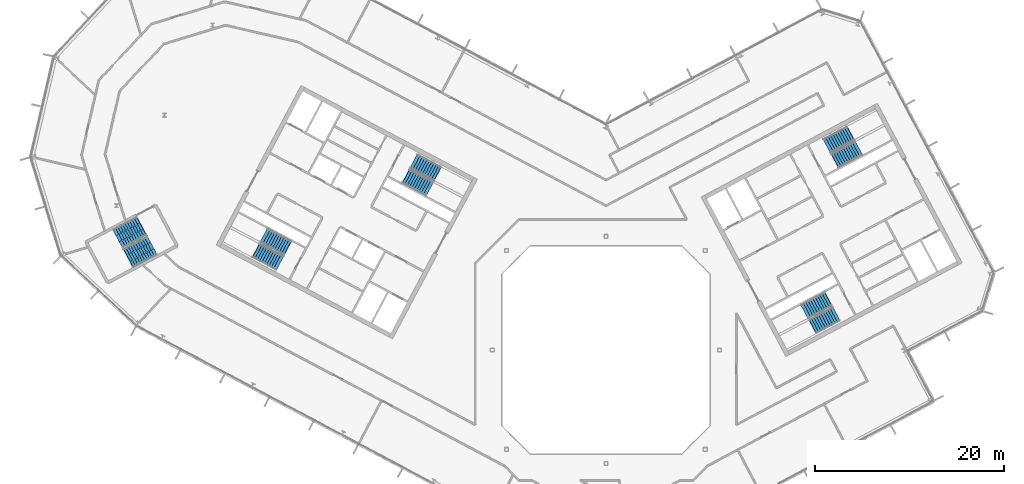
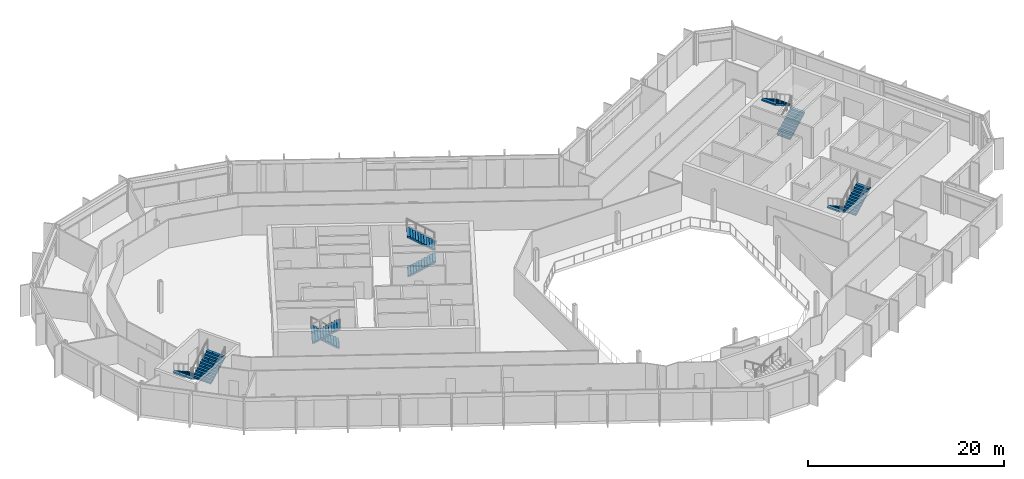
# One storey, part 18 of 26: 10 stair flights, 5 elements without a shape of their own.
"""IFC4 building model written with IfcOpenShell, lengths in metres."""

import ifcopenshell
import ifcopenshell.guid

model = None  # the IFC model being written
_history = None  # IfcOwnerHistory: only IFC2X3 demands one
_inside = {}  # id of a spatial element -> (the spatial element, [elements in it])
_under = {}  # id of a project, library or spatial element -> (it, [spatial elements below it])
_declared = {}  # id of a project -> (the project, [libraries it declares])
_typed = {}  # id of a type object -> (the type object, [elements of that type])
_made_of = {}  # id of a material, layer set ... -> (it, [elements and type objects made of it])


def new_model(schema):
    """Start an empty IFC model of exactly this schema.

    Asked for "IFC4X3", IfcOpenShell would pick the latest addendum, in which some entities
    have other attributes; the version numbers below select the first issue.
    IFC2X3 requires an IfcOwnerHistory on every rooted entity: one is made here for all.
    """
    global model, _history
    if schema == "IFC4X3":
        model = ifcopenshell.file(schema_version=(4, 3, 0, 0))
    else:
        model = ifcopenshell.file(schema=schema)
    _inside.clear()
    _under.clear()
    _declared.clear()
    _typed.clear()
    _made_of.clear()
    _history = None
    if model.schema == "IFC2X3":
        org = make("IfcOrganization", Name="unknown")
        user = make(
            "IfcPersonAndOrganization",
            ThePerson=make("IfcPerson", FamilyName="unknown"),
            TheOrganization=org,
        )
        app = make(
            "IfcApplication",
            ApplicationDeveloper=org,
            Version="unknown",
            ApplicationFullName="unknown",
            ApplicationIdentifier="unknown",
        )
        _history = make(
            "IfcOwnerHistory",
            OwningUser=user,
            OwningApplication=app,
            ChangeAction="ADDED",
            CreationDate=0,
        )
    return model


def make(cls, **values):
    """One entity of the class cls with the attributes given. An attribute that is None is left unset."""
    return model.create_entity(
        cls, **{name: value for name, value in values.items() if value is not None}
    )


def rooted(cls, **values):
    """An entity with a GlobalId (a new one), such as an element, a storey or a relation."""
    return make(cls, GlobalId=ifcopenshell.guid.new(), OwnerHistory=_history, **values)


def si_unit(unit_type, name, prefix=None):
    """IfcSIUnit, for example si_unit("LENGTHUNIT", "METRE", prefix="MILLI")."""
    return make("IfcSIUnit", UnitType=unit_type, Prefix=prefix, Name=name)


def assignment(units):
    """IfcUnitAssignment: the units of a project."""
    return None if units is None else make("IfcUnitAssignment", Units=units)


def point(xyz):
    """IfcCartesianPoint."""
    return None if xyz is None else make("IfcCartesianPoint", Coordinates=xyz)


def direction(xyz):
    """IfcDirection."""
    return None if xyz is None else make("IfcDirection", DirectionRatios=xyz)


def frame(location, z_axis=None, x_axis=None):
    """IfcAxis2Placement3D, a coordinate frame: its origin and axes. An axis left out is left unset."""
    return make(
        "IfcAxis2Placement3D",
        Location=point(location),
        Axis=direction(z_axis),
        RefDirection=direction(x_axis),
    )


def origin():
    """The frame at (0, 0, 0) with its axes left unset."""
    return frame((0.0, 0.0, 0.0))


def place(relative_to, where):
    """IfcLocalPlacement: puts the frame where relative to a parent placement (None: the world)."""
    return make(
        "IfcLocalPlacement", PlacementRelTo=relative_to, RelativePlacement=where
    )


def context(
    kind, dimensions, precision=None, world=None, true_north=None, identifier=None
):
    """IfcGeometricRepresentationContext, for example the 3D "Model" context."""
    return make(
        "IfcGeometricRepresentationContext",
        ContextIdentifier=identifier,
        ContextType=kind,
        CoordinateSpaceDimension=dimensions,
        Precision=precision,
        WorldCoordinateSystem=world,
        TrueNorth=true_north,
    )


def subcontext(parent, identifier, kind, view, scale=None):
    """IfcGeometricRepresentationSubContext, for example "Body" below "Model"."""
    return make(
        "IfcGeometricRepresentationSubContext",
        ContextIdentifier=identifier,
        ContextType=kind,
        ParentContext=parent,
        TargetScale=scale,
        TargetView=view,
    )


def project(units=None, contexts=None):
    """IfcProject with its units and contexts."""
    return rooted(
        "IfcProject",
        Name="project",
        RepresentationContexts=contexts,
        UnitsInContext=assignment(units),
    )


def spatial(cls, under=None, at=None, **own):
    """A site, building, storey or space (cls), placed at a placement, below another one or the project."""
    s = rooted(cls, ObjectPlacement=at, **own)
    if under is not None:
        _under.setdefault(under.id(), (under, []))[1].append(s)
    return s


def polyline(points):
    """IfcPolyline through the points."""
    return make("IfcPolyline", Points=[point(p) for p in points])


def outline(outer, holes=None, kind="AREA"):
    """IfcArbitraryClosedProfileDef: a profile drawn as a closed curve; with holes, ...WithVoids."""
    if holes is None:
        return make("IfcArbitraryClosedProfileDef", ProfileType=kind, OuterCurve=outer)
    return make(
        "IfcArbitraryProfileDefWithVoids",
        ProfileType=kind,
        OuterCurve=outer,
        InnerCurves=holes,
    )


def extrude(swept, where, along, depth):
    """IfcExtrudedAreaSolid: the profile swept, set in the frame where, extruded along a direction by depth."""
    return make(
        "IfcExtrudedAreaSolid",
        SweptArea=swept,
        Position=where,
        ExtrudedDirection=direction(along),
        Depth=depth,
    )


def shape(context_of_items, identifier, shape_type, items):
    """IfcShapeRepresentation: the items that make up one representation, for example the "Body"."""
    return make(
        "IfcShapeRepresentation",
        ContextOfItems=context_of_items,
        RepresentationIdentifier=identifier,
        RepresentationType=shape_type,
        Items=items,
    )


def material(Name=None, Category=None):
    """IfcMaterial."""
    return make("IfcMaterial", Name=Name, Category=Category)


def made_of(thing, what):
    """Note that an element or type object is made of a material, layer set ...; save() writes the relation."""
    if what is not None:
        _made_of.setdefault(what.id(), (what, []))[1].append(thing)
    return thing


def type_object(cls, material=None, **own):
    """A type object (cls), such as IfcWallType, which elements share."""
    return made_of(rooted(cls, **own), material)


def element(
    cls,
    number,
    at=None,
    inside=None,
    cuts=None,
    type_object=None,
    material=None,
    context=None,
    identifier="Body",
    shape_type=None,
    held_by="IfcProductDefinitionShape",
    body=None,
    shapes=None,
    **own,
):
    """One element of the class cls, such as IfcWall. Its Tag is "e" and its number.

    at: its placement. inside: the storey or other place that contains it. cuts: it is an
    opening in that element (IfcRelVoidsElement). A single representation is given by context,
    identifier, shape_type and body (its items); several are given by shapes. held_by: the class
    of the entity that holds the representations. save() writes the other relations.
    """
    e = rooted(cls, Tag="e%d" % number, ObjectPlacement=at, **own)
    if body is not None:
        shapes = [shape(context, identifier, shape_type, body)]
    if shapes is not None:
        e.Representation = make(held_by, Representations=shapes)
    if inside is not None:
        _inside.setdefault(inside.id(), (inside, []))[1].append(e)
    if cuts is not None:
        rooted(
            "IfcRelVoidsElement", RelatingBuildingElement=cuts, RelatedOpeningElement=e
        )
    if type_object is not None:
        _typed.setdefault(type_object.id(), (type_object, []))[1].append(e)
    return made_of(e, material)


def aggregate(whole, parts):
    """IfcRelAggregates: a whole, such as a stair, and the parts it consists of."""
    return rooted("IfcRelAggregates", RelatingObject=whole, RelatedObjects=parts)


def save(model, path):
    """Write the relations noted so far, then the file.

    IfcRelAggregates (storeys below a building ...), IfcRelContainedInSpatialStructure (elements
    in a storey), IfcRelDefinesByType, IfcRelAssociatesMaterial and IfcRelDeclares: one each for
    every whole, place, type object, material and project.
    """
    for whole, parts in _under.values():
        aggregate(whole, parts)
    for where, things in _inside.values():
        rooted(
            "IfcRelContainedInSpatialStructure",
            RelatedElements=things,
            RelatingStructure=where,
        )
    for kind, things in _typed.values():
        rooted("IfcRelDefinesByType", RelatedObjects=things, RelatingType=kind)
    for what, things in _made_of.values():
        rooted("IfcRelAssociatesMaterial", RelatedObjects=things, RelatingMaterial=what)
    for by, libraries in _declared.values():
        rooted("IfcRelDeclares", RelatingContext=by, RelatedDefinitions=libraries)
    model.write(path)


model = new_model("IFC4")

# Units and contexts
model_context = context("Model", 3, precision=1e-05, world=origin(), true_north=direction((0.0, 1.0)))
body_context = subcontext(model_context, "Body", "Model", "MODEL_VIEW")
ifc_project = project(units=[si_unit("LENGTHUNIT", "METRE"), si_unit("AREAUNIT", "SQUARE_METRE"), si_unit("VOLUMEUNIT", "CUBIC_METRE"), si_unit("PLANEANGLEUNIT", "RADIAN"), si_unit("MASSUNIT", "GRAM", prefix="KILO")], contexts=[model_context])

# Site, building, storey
site_placement = place(None, origin())
site = spatial("IfcSite", under=ifc_project, at=site_placement, CompositionType="ELEMENT")
building_placement = place(site_placement, origin())
building = spatial("IfcBuilding", under=site, at=building_placement, Name="Cormorant Relay Tower", CompositionType="ELEMENT")
storey_placement = place(building_placement, frame((0.0, 0.0, 308.699951171875)))
storey = spatial("IfcBuildingStorey", under=building, at=storey_placement, Name="L70", CompositionType="ELEMENT", Elevation=308.699951171875)

# Stair, stair flights
ifc_material_1 = material(Name="Concrete 40 MPa", Category="concrete")
stair_type_1 = type_object("IfcStairType", Name="Exit stair 1500", PredefinedType="HALF_TURN_STAIR", material=ifc_material_1)
stair_1_placement = place(storey_placement, origin())
stair_1 = element("IfcStair", 1, at=stair_1_placement, inside=storey, type_object=stair_type_1, Name="L70 Stair", PredefinedType="HALF_TURN_STAIR")
ifc_material_2 = material(Name="Concrete 40 MPa", Category="concrete")
stair_flight_type_1 = type_object("IfcStairFlightType", Name="Exit stair flight 1650", PredefinedType="STRAIGHT", material=ifc_material_2)
stair_flight_1_placement = place(storey_placement, frame((-21.114501953125, 18.33349609375, 0.0), z_axis=(0.0, 0.0, 1.0), x_axis=(0.882947592859, -0.469471562786, 0.0)))
stair_flight_1 = element("IfcStairFlight", 2, at=stair_flight_1_placement, type_object=stair_flight_type_1, Name="A1 flight 1", NumberOfRisers=11, NumberOfTreads=10, PredefinedType="STRAIGHT", RiserHeight=0.177272727, TreadLength=0.28, context=body_context, shape_type="SweptSolid", body=[
    extrude(outline(polyline([(-0.050048828125, -0.080078125), (-0.050048828125, 0.0), (0.0, 0.0), (0.0, 0.17724609375), (0.280029296875, 0.17724609375), (0.280029296875, 0.3544921875), (0.56005859375, 0.3544921875), (0.56005859375, 0.53173828125), (0.840087890625, 0.53173828125), (0.840087890625, 0.708984375), (1.1201171875, 0.708984375), (1.1201171875, 0.886474609375), (1.39990234375, 0.886474609375), (1.39990234375, 1.063720703125), (1.679931640625, 1.063720703125), (1.679931640625, 1.240966796875), (1.9599609375, 1.240966796875), (1.9599609375, 1.418212890625), (2.239990234375, 1.418212890625), (2.239990234375, 1.595458984375), (2.52001953125, 1.595458984375), (2.52001953125, 1.772705078125), (2.800048828125, 1.772705078125), (2.85009765625, 1.772705078125), (2.85009765625, 1.59521484375), (2.800048828125, 1.59521484375), (0.2802734375, 0.0), (-0.050048828125, -0.080078125)])), frame((0.0, 0.824951171875, 0.0), z_axis=(0.0, -1.0, 0.0), x_axis=(1.0, 0.0, 0.0)), (0.0, 0.0, 1.0), 1.64990234375),
])
stair_flight_2_placement = place(storey_placement, frame((-17.797119140625, 18.6083984375, 1.949951171875), z_axis=(0.0, 0.0, 1.0), x_axis=(-0.882947592859, 0.469471562786, 0.0)))
stair_flight_2 = element("IfcStairFlight", 3, at=stair_flight_2_placement, type_object=stair_flight_type_1, Name="A1 flight 2", NumberOfRisers=11, NumberOfTreads=10, PredefinedType="STRAIGHT", RiserHeight=0.177272727, TreadLength=0.28, context=body_context, shape_type="SweptSolid", body=[
    extrude(outline(polyline([(-0.050048828125, -0.080078125), (-0.050048828125, 0.0), (0.0, 0.0), (0.0, 0.17724609375), (0.280029296875, 0.17724609375), (0.280029296875, 0.3544921875), (0.56005859375, 0.3544921875), (0.56005859375, 0.53173828125), (0.840087890625, 0.53173828125), (0.840087890625, 0.708984375), (1.1201171875, 0.708984375), (1.1201171875, 0.886474609375), (1.39990234375, 0.886474609375), (1.39990234375, 1.063720703125), (1.679931640625, 1.063720703125), (1.679931640625, 1.240966796875), (1.9599609375, 1.240966796875), (1.9599609375, 1.418212890625), (2.239990234375, 1.418212890625), (2.239990234375, 1.595458984375), (2.52001953125, 1.595458984375), (2.52001953125, 1.772705078125), (2.800048828125, 1.772705078125), (2.85009765625, 1.772705078125), (2.85009765625, 1.59521484375), (2.800048828125, 1.59521484375), (0.2802734375, 0.0), (-0.050048828125, -0.080078125)])), frame((0.0, 0.824951171875, 0.0), z_axis=(0.0, -1.0, 0.0), x_axis=(1.0, 0.0, 0.0)), (0.0, 0.0, 1.0), 1.64990234375),
])
aggregate(stair_1, [stair_flight_1, stair_flight_2])

stair_2_placement = place(storey_placement, origin())
stair_2 = element("IfcStair", 4, at=stair_2_placement, inside=storey, type_object=stair_type_1, Name="L70 Stair", PredefinedType="HALF_TURN_STAIR")
stair_flight_3_placement = place(storey_placement, frame((-33.62841796875, 10.773681640625, 0.0), z_axis=(0.0, 0.0, 1.0), x_axis=(-0.882947592859, 0.469471562786, 0.0)))
stair_flight_3 = element("IfcStairFlight", 5, at=stair_flight_3_placement, type_object=stair_flight_type_1, Name="A2 flight 1", NumberOfRisers=11, NumberOfTreads=10, PredefinedType="STRAIGHT", RiserHeight=0.177272727, TreadLength=0.28, context=body_context, shape_type="SweptSolid", body=[
    extrude(outline(polyline([(-0.050048828125, -0.080078125), (-0.050048828125, 0.0), (0.0, 0.0), (0.0, 0.17724609375), (0.280029296875, 0.17724609375), (0.280029296875, 0.3544921875), (0.56005859375, 0.3544921875), (0.56005859375, 0.53173828125), (0.840087890625, 0.53173828125), (0.840087890625, 0.708984375), (1.1201171875, 0.708984375), (1.1201171875, 0.886474609375), (1.39990234375, 0.886474609375), (1.39990234375, 1.063720703125), (1.679931640625, 1.063720703125), (1.679931640625, 1.240966796875), (1.9599609375, 1.240966796875), (1.9599609375, 1.418212890625), (2.239990234375, 1.418212890625), (2.239990234375, 1.595458984375), (2.52001953125, 1.595458984375), (2.52001953125, 1.772705078125), (2.800048828125, 1.772705078125), (2.85009765625, 1.772705078125), (2.85009765625, 1.59521484375), (2.800048828125, 1.59521484375), (0.2802734375, 0.0), (-0.050048828125, -0.080078125)])), frame((0.0, 0.824951171875, 0.0), z_axis=(0.0, -1.0, 0.0), x_axis=(1.0, 0.0, 0.0)), (0.0, 0.0, 1.0), 1.64990234375),
])
stair_flight_4_placement = place(storey_placement, frame((-36.945556640625, 10.498779296875, 1.949951171875), z_axis=(0.0, 0.0, 1.0), x_axis=(0.882947592859, -0.469471562786, 0.0)))
stair_flight_4 = element("IfcStairFlight", 6, at=stair_flight_4_placement, type_object=stair_flight_type_1, Name="A2 flight 2", NumberOfRisers=11, NumberOfTreads=10, PredefinedType="STRAIGHT", RiserHeight=0.177272727, TreadLength=0.28, context=body_context, shape_type="SweptSolid", body=[
    extrude(outline(polyline([(-0.050048828125, -0.080078125), (-0.050048828125, 0.0), (0.0, 0.0), (0.0, 0.17724609375), (0.280029296875, 0.17724609375), (0.280029296875, 0.3544921875), (0.56005859375, 0.3544921875), (0.56005859375, 0.53173828125), (0.840087890625, 0.53173828125), (0.840087890625, 0.708984375), (1.1201171875, 0.708984375), (1.1201171875, 0.886474609375), (1.39990234375, 0.886474609375), (1.39990234375, 1.063720703125), (1.679931640625, 1.063720703125), (1.679931640625, 1.240966796875), (1.9599609375, 1.240966796875), (1.9599609375, 1.418212890625), (2.239990234375, 1.418212890625), (2.239990234375, 1.595458984375), (2.52001953125, 1.595458984375), (2.52001953125, 1.772705078125), (2.800048828125, 1.772705078125), (2.85009765625, 1.772705078125), (2.85009765625, 1.59521484375), (2.800048828125, 1.59521484375), (0.2802734375, 0.0), (-0.050048828125, -0.080078125)])), frame((0.0, 0.824951171875, 0.0), z_axis=(0.0, -1.0, 0.0), x_axis=(1.0, 0.0, 0.0)), (0.0, 0.0, 1.0), 1.64990234375),
])
aggregate(stair_2, [stair_flight_3, stair_flight_4])

stair_3_placement = place(storey_placement, origin())
stair_3 = element("IfcStair", 7, at=stair_3_placement, inside=storey, type_object=stair_type_1, Name="L70 Stair", PredefinedType="HALF_TURN_STAIR")
stair_flight_5_placement = place(storey_placement, frame((23.474365234375, 5.374755859375, 0.0), z_axis=(0.0, 0.0, 1.0), x_axis=(-0.882947592859, -0.469471562786, 0.0)))
stair_flight_5 = element("IfcStairFlight", 8, at=stair_flight_5_placement, type_object=stair_flight_type_1, Name="B1 flight 1", NumberOfRisers=11, NumberOfTreads=10, PredefinedType="STRAIGHT", RiserHeight=0.177272727, TreadLength=0.28, context=body_context, shape_type="SweptSolid", body=[
    extrude(outline(polyline([(-0.050048828125, -0.080078125), (-0.050048828125, 0.0), (0.0, 0.0), (0.0, 0.17724609375), (0.280029296875, 0.17724609375), (0.280029296875, 0.3544921875), (0.56005859375, 0.3544921875), (0.56005859375, 0.53173828125), (0.840087890625, 0.53173828125), (0.840087890625, 0.708984375), (1.1201171875, 0.708984375), (1.1201171875, 0.886474609375), (1.39990234375, 0.886474609375), (1.39990234375, 1.063720703125), (1.679931640625, 1.063720703125), (1.679931640625, 1.240966796875), (1.9599609375, 1.240966796875), (1.9599609375, 1.418212890625), (2.239990234375, 1.418212890625), (2.239990234375, 1.595458984375), (2.52001953125, 1.595458984375), (2.52001953125, 1.772705078125), (2.800048828125, 1.772705078125), (2.85009765625, 1.772705078125), (2.85009765625, 1.59521484375), (2.800048828125, 1.59521484375), (0.2802734375, 0.0), (-0.050048828125, -0.080078125)])), frame((0.0, 0.824951171875, 0.0), z_axis=(0.0, -1.0, 0.0), x_axis=(1.0, 0.0, 0.0)), (0.0, 0.0, 1.0), 1.64990234375),
])
stair_flight_6_placement = place(storey_placement, frame((21.84716796875, 2.470947265625, 1.949951171875), z_axis=(0.0, 0.0, 1.0), x_axis=(0.882947592859, 0.469471562786, 0.0)))
stair_flight_6 = element("IfcStairFlight", 9, at=stair_flight_6_placement, type_object=stair_flight_type_1, Name="B1 flight 2", NumberOfRisers=11, NumberOfTreads=10, PredefinedType="STRAIGHT", RiserHeight=0.177272727, TreadLength=0.28, context=body_context, shape_type="SweptSolid", body=[
    extrude(outline(polyline([(-0.050048828125, -0.080078125), (-0.050048828125, 0.0), (0.0, 0.0), (0.0, 0.17724609375), (0.280029296875, 0.17724609375), (0.280029296875, 0.3544921875), (0.56005859375, 0.3544921875), (0.56005859375, 0.53173828125), (0.840087890625, 0.53173828125), (0.840087890625, 0.708984375), (1.1201171875, 0.708984375), (1.1201171875, 0.886474609375), (1.39990234375, 0.886474609375), (1.39990234375, 1.063720703125), (1.679931640625, 1.063720703125), (1.679931640625, 1.240966796875), (1.9599609375, 1.240966796875), (1.9599609375, 1.418212890625), (2.239990234375, 1.418212890625), (2.239990234375, 1.595458984375), (2.52001953125, 1.595458984375), (2.52001953125, 1.772705078125), (2.800048828125, 1.772705078125), (2.85009765625, 1.772705078125), (2.85009765625, 1.59521484375), (2.800048828125, 1.59521484375), (0.2802734375, 0.0), (-0.050048828125, -0.080078125)])), frame((0.0, 0.824951171875, 0.0), z_axis=(0.0, -1.0, 0.0), x_axis=(1.0, 0.0, 0.0)), (0.0, 0.0, 1.0), 1.64990234375),
])
aggregate(stair_3, [stair_flight_5, stair_flight_6])

stair_4_placement = place(storey_placement, origin())
stair_4 = element("IfcStair", 10, at=stair_4_placement, inside=storey, type_object=stair_type_1, Name="L70 Stair", PredefinedType="HALF_TURN_STAIR")
stair_flight_7_placement = place(storey_placement, frame((24.20458984375, 19.976806640625, 0.0), z_axis=(0.0, 0.0, 1.0), x_axis=(0.882947592859, 0.469471562786, 0.0)))
stair_flight_7 = element("IfcStairFlight", 11, at=stair_flight_7_placement, type_object=stair_flight_type_1, Name="B2 flight 1", NumberOfRisers=11, NumberOfTreads=10, PredefinedType="STRAIGHT", RiserHeight=0.177272727, TreadLength=0.28, context=body_context, shape_type="SweptSolid", body=[
    extrude(outline(polyline([(-0.050048828125, -0.080078125), (-0.050048828125, 0.0), (0.0, 0.0), (0.0, 0.17724609375), (0.280029296875, 0.17724609375), (0.280029296875, 0.3544921875), (0.56005859375, 0.3544921875), (0.56005859375, 0.53173828125), (0.840087890625, 0.53173828125), (0.840087890625, 0.708984375), (1.1201171875, 0.708984375), (1.1201171875, 0.886474609375), (1.39990234375, 0.886474609375), (1.39990234375, 1.063720703125), (1.679931640625, 1.063720703125), (1.679931640625, 1.240966796875), (1.9599609375, 1.240966796875), (1.9599609375, 1.418212890625), (2.239990234375, 1.418212890625), (2.239990234375, 1.595458984375), (2.52001953125, 1.595458984375), (2.52001953125, 1.772705078125), (2.800048828125, 1.772705078125), (2.85009765625, 1.772705078125), (2.85009765625, 1.59521484375), (2.800048828125, 1.59521484375), (0.2802734375, 0.0), (-0.050048828125, -0.080078125)])), frame((0.0, 0.824951171875, 0.0), z_axis=(0.0, -1.0, 0.0), x_axis=(1.0, 0.0, 0.0)), (0.0, 0.0, 1.0), 1.64990234375),
])
stair_flight_8_placement = place(storey_placement, frame((25.831787109375, 22.880615234375, 1.949951171875), z_axis=(0.0, 0.0, 1.0), x_axis=(-0.882947592859, -0.469471562786, 0.0)))
stair_flight_8 = element("IfcStairFlight", 12, at=stair_flight_8_placement, type_object=stair_flight_type_1, Name="B2 flight 2", NumberOfRisers=11, NumberOfTreads=10, PredefinedType="STRAIGHT", RiserHeight=0.177272727, TreadLength=0.28, context=body_context, shape_type="SweptSolid", body=[
    extrude(outline(polyline([(-0.050048828125, -0.080078125), (-0.050048828125, 0.0), (0.0, 0.0), (0.0, 0.17724609375), (0.280029296875, 0.17724609375), (0.280029296875, 0.3544921875), (0.56005859375, 0.3544921875), (0.56005859375, 0.53173828125), (0.840087890625, 0.53173828125), (0.840087890625, 0.708984375), (1.1201171875, 0.708984375), (1.1201171875, 0.886474609375), (1.39990234375, 0.886474609375), (1.39990234375, 1.063720703125), (1.679931640625, 1.063720703125), (1.679931640625, 1.240966796875), (1.9599609375, 1.240966796875), (1.9599609375, 1.418212890625), (2.239990234375, 1.418212890625), (2.239990234375, 1.595458984375), (2.52001953125, 1.595458984375), (2.52001953125, 1.772705078125), (2.800048828125, 1.772705078125), (2.85009765625, 1.772705078125), (2.85009765625, 1.59521484375), (2.800048828125, 1.59521484375), (0.2802734375, 0.0), (-0.050048828125, -0.080078125)])), frame((0.0, 0.824951171875, 0.0), z_axis=(0.0, -1.0, 0.0), x_axis=(1.0, 0.0, 0.0)), (0.0, 0.0, 1.0), 1.64990234375),
])
aggregate(stair_4, [stair_flight_7, stair_flight_8])

ifc_material_3 = material(Name="Concrete 40 MPa", Category="concrete")
stair_type_2 = type_object("IfcStairType", Name="Remote exit stair 2200", PredefinedType="HALF_TURN_STAIR", material=ifc_material_3)
stair_5_placement = place(storey_placement, origin())
stair_5 = element("IfcStair", 13, at=stair_5_placement, inside=storey, type_object=stair_type_2, Name="L70 Stair", PredefinedType="HALF_TURN_STAIR")
ifc_material_4 = material(Name="Concrete 40 MPa", Category="concrete")
stair_flight_type_2 = type_object("IfcStairFlightType", Name="Remote exit stair flight 2200", PredefinedType="STRAIGHT", material=ifc_material_4)
stair_flight_9_placement = place(storey_placement, frame((-49.062255859375, 13.08251953125, 0.0), z_axis=(0.0, 0.0, 1.0), x_axis=(-0.882947502727, -0.4694717323, 0.0)))
stair_flight_9 = element("IfcStairFlight", 14, at=stair_flight_9_placement, type_object=stair_flight_type_2, Name="RP1 flight 1", NumberOfRisers=11, NumberOfTreads=10, PredefinedType="STRAIGHT", RiserHeight=0.177272727, TreadLength=0.28, context=body_context, shape_type="SweptSolid", body=[
    extrude(outline(polyline([(-0.050048828125, -0.080078125), (-0.050048828125, 0.0), (0.0, 0.0), (0.0, 0.17724609375), (0.280029296875, 0.17724609375), (0.280029296875, 0.3544921875), (0.56005859375, 0.3544921875), (0.56005859375, 0.53173828125), (0.840087890625, 0.53173828125), (0.840087890625, 0.708984375), (1.1201171875, 0.708984375), (1.1201171875, 0.886474609375), (1.39990234375, 0.886474609375), (1.39990234375, 1.063720703125), (1.679931640625, 1.063720703125), (1.679931640625, 1.240966796875), (1.9599609375, 1.240966796875), (1.9599609375, 1.418212890625), (2.239990234375, 1.418212890625), (2.239990234375, 1.595458984375), (2.52001953125, 1.595458984375), (2.52001953125, 1.772705078125), (2.800048828125, 1.772705078125), (2.85009765625, 1.772705078125), (2.85009765625, 1.59521484375), (2.800048828125, 1.59521484375), (0.2802734375, 0.0), (-0.050048828125, -0.080078125)])), frame((0.0, 1.10009765625, 0.0), z_axis=(0.0, -1.0, 0.0), x_axis=(1.0, 0.0, 0.0)), (0.0, 0.0, 1.0), 0.719970703125),
    extrude(outline(polyline([(-0.050048828125, -0.080078125), (-0.050048828125, 0.0), (0.0, 0.0), (0.0, 0.17724609375), (0.280029296875, 0.17724609375), (0.280029296875, 0.3544921875), (0.56005859375, 0.3544921875), (0.56005859375, 0.53173828125), (0.840087890625, 0.53173828125), (0.840087890625, 0.708984375), (1.1201171875, 0.708984375), (1.1201171875, 0.886474609375), (1.39990234375, 0.886474609375), (1.39990234375, 1.063720703125), (1.679931640625, 1.063720703125), (1.679931640625, 1.240966796875), (1.9599609375, 1.240966796875), (1.9599609375, 1.418212890625), (2.239990234375, 1.418212890625), (2.239990234375, 1.595458984375), (2.52001953125, 1.595458984375), (2.52001953125, 1.772705078125), (2.800048828125, 1.772705078125), (2.85009765625, 1.772705078125), (2.85009765625, 1.59521484375), (2.800048828125, 1.59521484375), (0.2802734375, 0.0), (-0.050048828125, -0.080078125)])), frame((0.0, 0.360107421875, 0.0), z_axis=(0.0, -1.0, 0.0), x_axis=(1.0, 0.0, 0.0)), (0.0, 0.0, 1.0), 0.719970703125),
    extrude(outline(polyline([(-0.050048828125, -0.080078125), (-0.050048828125, 0.0), (0.0, 0.0), (0.0, 0.17724609375), (0.280029296875, 0.17724609375), (0.280029296875, 0.3544921875), (0.56005859375, 0.3544921875), (0.56005859375, 0.53173828125), (0.840087890625, 0.53173828125), (0.840087890625, 0.708984375), (1.1201171875, 0.708984375), (1.1201171875, 0.886474609375), (1.39990234375, 0.886474609375), (1.39990234375, 1.063720703125), (1.679931640625, 1.063720703125), (1.679931640625, 1.240966796875), (1.9599609375, 1.240966796875), (1.9599609375, 1.418212890625), (2.239990234375, 1.418212890625), (2.239990234375, 1.595458984375), (2.52001953125, 1.595458984375), (2.52001953125, 1.772705078125), (2.800048828125, 1.772705078125), (2.85009765625, 1.772705078125), (2.85009765625, 1.59521484375), (2.800048828125, 1.59521484375), (0.2802734375, 0.0), (-0.050048828125, -0.080078125)])), frame((0.0, -0.3798828125, 0.0), z_axis=(0.0, -1.0, 0.0), x_axis=(1.0, 0.0, 0.0)), (0.0, 0.0, 1.0), 0.719970703125),
])
stair_flight_10_placement = place(storey_placement, frame((-50.431396484375, 9.693115234375, 1.949951171875), z_axis=(0.0, 0.0, 1.0), x_axis=(0.882947502727, 0.4694717323, 0.0)))
stair_flight_10 = element("IfcStairFlight", 15, at=stair_flight_10_placement, type_object=stair_flight_type_2, Name="RP1 flight 2", NumberOfRisers=11, NumberOfTreads=10, PredefinedType="STRAIGHT", RiserHeight=0.177272727, TreadLength=0.28, context=body_context, shape_type="SweptSolid", body=[
    extrude(outline(polyline([(-0.050048828125, -0.080078125), (-0.050048828125, 0.0), (0.0, 0.0), (0.0, 0.17724609375), (0.280029296875, 0.17724609375), (0.280029296875, 0.3544921875), (0.56005859375, 0.3544921875), (0.56005859375, 0.53173828125), (0.840087890625, 0.53173828125), (0.840087890625, 0.708984375), (1.1201171875, 0.708984375), (1.1201171875, 0.886474609375), (1.39990234375, 0.886474609375), (1.39990234375, 1.063720703125), (1.679931640625, 1.063720703125), (1.679931640625, 1.240966796875), (1.9599609375, 1.240966796875), (1.9599609375, 1.418212890625), (2.239990234375, 1.418212890625), (2.239990234375, 1.595458984375), (2.52001953125, 1.595458984375), (2.52001953125, 1.772705078125), (2.800048828125, 1.772705078125), (2.85009765625, 1.772705078125), (2.85009765625, 1.59521484375), (2.800048828125, 1.59521484375), (0.2802734375, 0.0), (-0.050048828125, -0.080078125)])), frame((0.0, 1.10009765625, 0.0), z_axis=(0.0, -1.0, 0.0), x_axis=(1.0, 0.0, 0.0)), (0.0, 0.0, 1.0), 0.719970703125),
    extrude(outline(polyline([(-0.050048828125, -0.080078125), (-0.050048828125, 0.0), (0.0, 0.0), (0.0, 0.17724609375), (0.280029296875, 0.17724609375), (0.280029296875, 0.3544921875), (0.56005859375, 0.3544921875), (0.56005859375, 0.53173828125), (0.840087890625, 0.53173828125), (0.840087890625, 0.708984375), (1.1201171875, 0.708984375), (1.1201171875, 0.886474609375), (1.39990234375, 0.886474609375), (1.39990234375, 1.063720703125), (1.679931640625, 1.063720703125), (1.679931640625, 1.240966796875), (1.9599609375, 1.240966796875), (1.9599609375, 1.418212890625), (2.239990234375, 1.418212890625), (2.239990234375, 1.595458984375), (2.52001953125, 1.595458984375), (2.52001953125, 1.772705078125), (2.800048828125, 1.772705078125), (2.85009765625, 1.772705078125), (2.85009765625, 1.59521484375), (2.800048828125, 1.59521484375), (0.2802734375, 0.0), (-0.050048828125, -0.080078125)])), frame((0.0, 0.360107421875, 0.0), z_axis=(0.0, -1.0, 0.0), x_axis=(1.0, 0.0, 0.0)), (0.0, 0.0, 1.0), 0.719970703125),
    extrude(outline(polyline([(-0.050048828125, -0.080078125), (-0.050048828125, 0.0), (0.0, 0.0), (0.0, 0.17724609375), (0.280029296875, 0.17724609375), (0.280029296875, 0.3544921875), (0.56005859375, 0.3544921875), (0.56005859375, 0.53173828125), (0.840087890625, 0.53173828125), (0.840087890625, 0.708984375), (1.1201171875, 0.708984375), (1.1201171875, 0.886474609375), (1.39990234375, 0.886474609375), (1.39990234375, 1.063720703125), (1.679931640625, 1.063720703125), (1.679931640625, 1.240966796875), (1.9599609375, 1.240966796875), (1.9599609375, 1.418212890625), (2.239990234375, 1.418212890625), (2.239990234375, 1.595458984375), (2.52001953125, 1.595458984375), (2.52001953125, 1.772705078125), (2.800048828125, 1.772705078125), (2.85009765625, 1.772705078125), (2.85009765625, 1.59521484375), (2.800048828125, 1.59521484375), (0.2802734375, 0.0), (-0.050048828125, -0.080078125)])), frame((0.0, -0.3798828125, 0.0), z_axis=(0.0, -1.0, 0.0), x_axis=(1.0, 0.0, 0.0)), (0.0, 0.0, 1.0), 0.719970703125),
])
aggregate(stair_5, [stair_flight_9, stair_flight_10])

save(model, "model.ifc")
